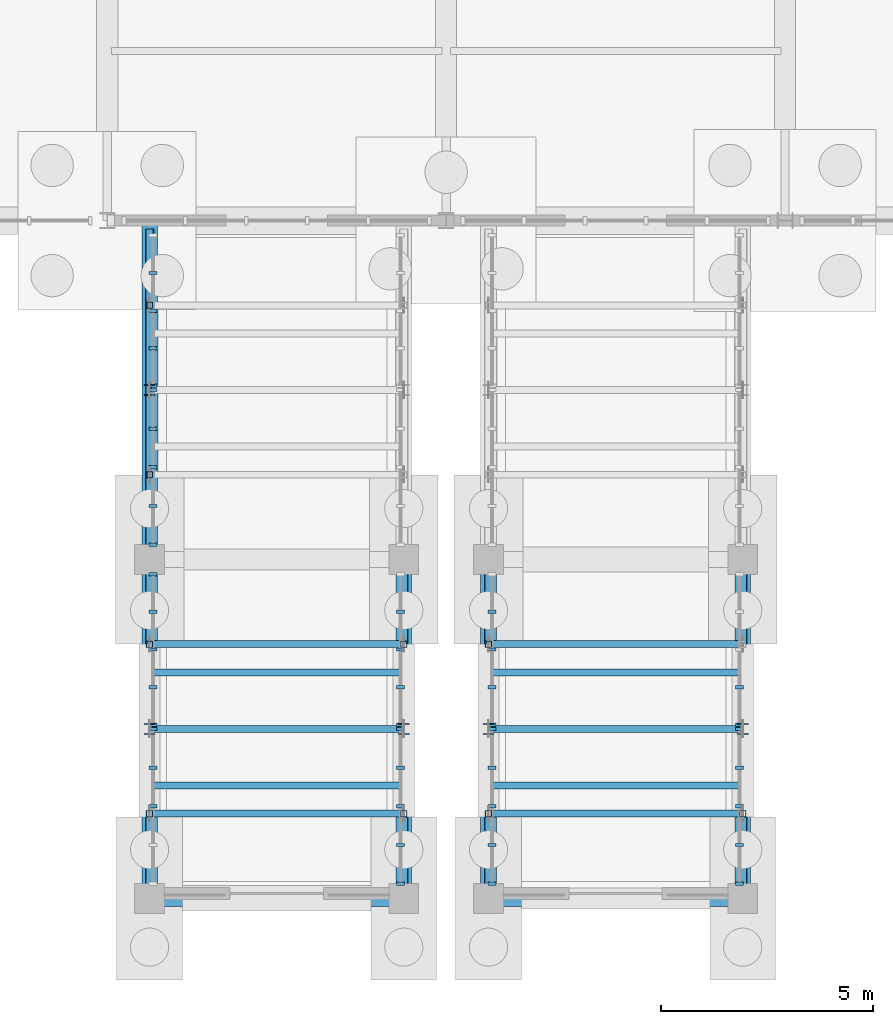
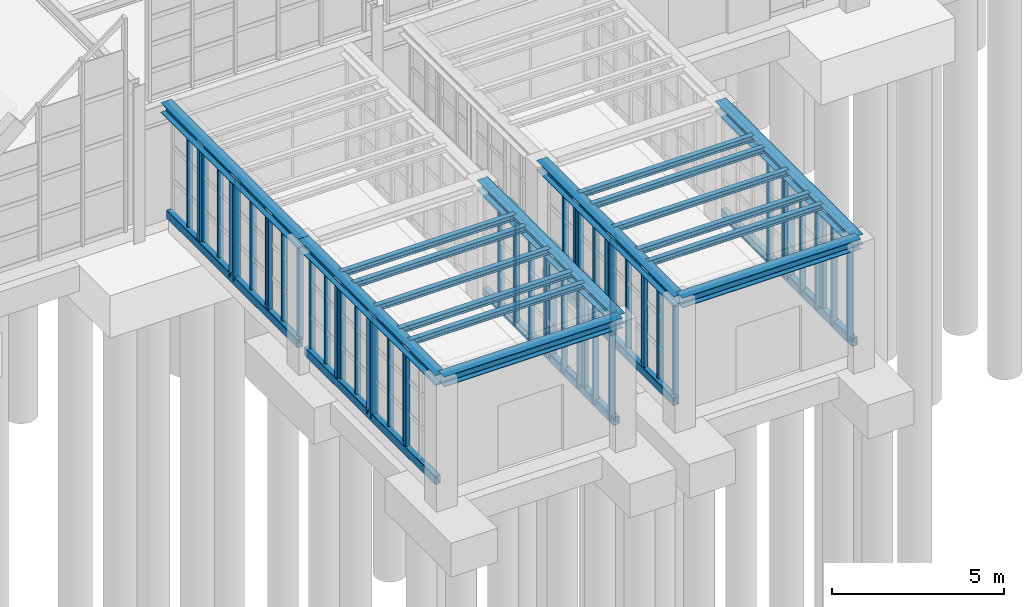
# One storey, part 37 of 129: 67 members, 11 beams, 10 elements without a shape of their own.
"""IFC4 building model written with IfcOpenShell, lengths in metres."""

from ifc_helpers import new_model, si_unit, direction, frame, origin, origin_2d, place, context, subcontext, project, spatial, rectangle, hollow_rectangle, i_section, extrude, material, layer, layer_set, material_profile, profile_set, type_object, element, aggregate, save


model = new_model("IFC4")

# Units and contexts
model_context = context("Model", 3, precision=1e-05, world=origin(), true_north=direction((0.0, 1.0)))
body_context = subcontext(model_context, "Body", "Model", "MODEL_VIEW")
ifc_project = project(units=[si_unit("LENGTHUNIT", "METRE"), si_unit("AREAUNIT", "SQUARE_METRE"), si_unit("VOLUMEUNIT", "CUBIC_METRE"), si_unit("PLANEANGLEUNIT", "RADIAN"), si_unit("MASSUNIT", "GRAM", prefix="KILO")], contexts=[model_context])

# Site, building, storey
site_placement = place(None, origin())
site = spatial("IfcSite", under=ifc_project, at=site_placement, CompositionType="ELEMENT")
building_placement = place(site_placement, origin())
building = spatial("IfcBuilding", under=site, at=building_placement, Name="Sitalva Quay Ferry Terminal", CompositionType="ELEMENT")
storey_placement = place(building_placement, origin())
storey = spatial("IfcBuildingStorey", under=building, at=storey_placement, Name="L01", CompositionType="ELEMENT", Elevation=0.0)

# Beams
ifc_material_1 = material(Name="Structural Steel S355JR", Category="steel")
ifc_material_profile_1 = material_profile(ifc_material_1, i_section(OverallWidth=0.368896484375, OverallDepth=0.35595703125, WebThickness=0.01123046875, FlangeThickness=0.01806640625, FilletRadius=0.014892578125, at=origin_2d()), Name="W360x134")
ifc_profile_set_1 = profile_set([ifc_material_profile_1], Name="Structural Steel S355JR")
beam_type_1 = type_object("IfcBeamType", Name="Beam_W360x134", PredefinedType="BEAM", material=ifc_profile_set_1)
beam_1_placement = place(storey_placement, frame((51.0, -10.0, 3.951904296875), z_axis=(1.0, 0.0, 0.0), x_axis=(0.0, 1.0, 0.0)))
element("IfcBeam", 1, at=beam_1_placement, inside=storey, type_object=beam_type_1, Name="L01 Primary X girder 0015", PredefinedType="BEAM", context=body_context, shape_type="SweptSolid", body=[
    extrude(i_section(OverallWidth=0.368896484375, OverallDepth=0.35595703125, WebThickness=0.01123046875, FlangeThickness=0.01806640625, FilletRadius=0.014892578125, at=origin_2d()), origin(), (0.0, 0.0, 1.0), 6.0),
])
for number, where, z_axis, x_axis, name in (
    (2, (51.0, -10.0, 3.951904296875), (0.0, 1.0, 0.0), (-1.0, 0.0, 0.0), "L01 Primary Y girder 0017"),
    (3, (51.0, -2.0, 3.951904296875), (0.0, 1.0, 0.0), (-1.0, 0.0, 0.0), "L01 Primary Y girder 0018"),
    (4, (57.0, -10.0, 3.951904296875), (0.0, 1.0, 0.0), (-1.0, 0.0, 0.0), "L01 Primary Y girder 0019"),
):
    element("IfcBeam", number, at=place(storey_placement, frame(where, z_axis=z_axis, x_axis=x_axis)), inside=storey, type_object=beam_type_1, Name=name, PredefinedType="BEAM", context=body_context, shape_type="SweptSolid", body=[
        extrude(i_section(OverallWidth=0.368896484375, OverallDepth=0.35595703125, WebThickness=0.01123046875, FlangeThickness=0.01806640625, FilletRadius=0.014892578125, at=origin_2d()), origin(), (0.0, 0.0, 1.0), 8.0),
    ])
beam_2_placement = place(storey_placement, frame((59.0, -10.0, 3.951904296875), z_axis=(1.0, 0.0, 0.0), x_axis=(0.0, 1.0, 0.0)))
element("IfcBeam", 5, at=beam_2_placement, inside=storey, type_object=beam_type_1, Name="L01 Primary X girder 0025", PredefinedType="BEAM", context=body_context, shape_type="SweptSolid", body=[
    extrude(i_section(OverallWidth=0.368896484375, OverallDepth=0.35595703125, WebThickness=0.01123046875, FlangeThickness=0.01806640625, FilletRadius=0.014892578125, at=origin_2d()), origin(), (0.0, 0.0, 1.0), 6.0),
])
for number, where, z_axis, x_axis, name in (
    (6, (59.0, -10.0, 3.951904296875), (0.0, 1.0, 0.0), (-1.0, 0.0, 0.0), "L01 Primary Y girder 0027"),
    (7, (65.0, -10.0, 3.951904296875), (0.0, 1.0, 0.0), (-1.0, 0.0, 0.0), "L01 Primary Y girder 0029"),
):
    element("IfcBeam", number, at=place(storey_placement, frame(where, z_axis=z_axis, x_axis=x_axis)), inside=storey, type_object=beam_type_1, Name=name, PredefinedType="BEAM", context=body_context, shape_type="SweptSolid", body=[
        extrude(i_section(OverallWidth=0.368896484375, OverallDepth=0.35595703125, WebThickness=0.01123046875, FlangeThickness=0.01806640625, FilletRadius=0.014892578125, at=origin_2d()), origin(), (0.0, 0.0, 1.0), 8.0),
    ])

# Members
ifc_material_2 = material(Name="Structural Steel S355JR", Category="steel")
ifc_material_profile_2 = material_profile(ifc_material_2, hollow_rectangle(XDim=0.199951171875, YDim=0.300048828125, WallThickness=0.012451171875, InnerFilletRadius=0.012451171875, OuterFilletRadius=0.02490234375, at=origin_2d()), Name="RHS300x200x12.5")
ifc_profile_set_2 = profile_set([ifc_material_profile_2], Name="Structural Steel S355JR")
member_type_1 = type_object("IfcMemberType", Name="Chord_RHS300x200", PredefinedType="CHORD", material=ifc_profile_set_2)
for number, where, z_axis, x_axis, name in (
    (8, (51.0, -9.800048828125, 0.25), (0.0, 1.0, 0.0), (-1.0, 0.0, 0.0), "Boarding bridge BB2 bottom chord W1"),
    (9, (51.0, -1.800048828125, 0.25), (0.0, 1.0, 0.0), (-1.0, 0.0, 0.0), "Boarding bridge BB2 bottom chord W2"),
    (10, (57.0, -9.800048828125, 0.25), (0.0, 1.0, 0.0), (-1.0, 0.0, 0.0), "Boarding bridge BB2 bottom chord E1"),
    (11, (59.0, -9.800048828125, 0.25), (0.0, 1.0, 0.0), (-1.0, 0.0, 0.0), "Boarding bridge BB3 bottom chord W1"),
    (12, (65.0, -9.800048828125, 0.25), (0.0, 1.0, 0.0), (-1.0, 0.0, 0.0), "Boarding bridge BB3 bottom chord E1"),
):
    element("IfcMember", number, at=place(storey_placement, frame(where, z_axis=z_axis, x_axis=x_axis)), inside=storey, type_object=member_type_1, Name=name, PredefinedType="CHORD", context=body_context, shape_type="SweptSolid", body=[
        extrude(hollow_rectangle(XDim=0.199951171875, YDim=0.300048828125, WallThickness=0.012451171875, InnerFilletRadius=0.012451171875, OuterFilletRadius=0.02490234375, at=origin_2d()), origin(), (0.0, 0.0, 1.0), 7.60009765625),
    ])
ifc_material_3 = material(Name="Structural Steel S355JR", Category="steel")
ifc_material_profile_3 = material_profile(ifc_material_3, i_section(OverallWidth=0.25390625, OverallDepth=0.2529296875, WebThickness=0.008544921875, FlangeThickness=0.01416015625, FilletRadius=0.011962890625, at=origin_2d()), Name="W250x73")
ifc_profile_set_3 = profile_set([ifc_material_profile_3], Name="Structural Steel S355JR")
member_type_2 = type_object("IfcMemberType", Name="Chord_W250x73", PredefinedType="CHORD", material=ifc_profile_set_3)
for number, where, z_axis, x_axis, name in (
    (13, (51.0, -6.0, 0.25), (0.0, 0.0, 1.0), (1.0, 0.0, 0.0), "Boarding bridge BB2 post W1"),
    (14, (51.0, 2.0, 0.25), (0.0, 0.0, 1.0), (1.0, 0.0, 0.0), "Boarding bridge BB2 post W2"),
    (15, (57.0, -6.0, 0.25), (0.0, 0.0, 1.0), (1.0, 0.0, 0.0), "Boarding bridge BB2 post E1"),
    (16, (59.0, -6.0, 0.25), (0.0, 0.0, 1.0), (1.0, 0.0, 0.0), "Boarding bridge BB3 post W1"),
    (17, (65.0, -6.0, 0.25), (0.0, 0.0, 1.0), (1.0, 0.0, 0.0), "Boarding bridge BB3 post E1"),
):
    element("IfcMember", number, at=place(storey_placement, frame(where, z_axis=z_axis, x_axis=x_axis)), inside=storey, type_object=member_type_2, Name=name, PredefinedType="CHORD", context=body_context, shape_type="SweptSolid", body=[
        extrude(i_section(OverallWidth=0.25390625, OverallDepth=0.2529296875, WebThickness=0.008544921875, FlangeThickness=0.01416015625, FilletRadius=0.011962890625, at=origin_2d()), origin(), (0.0, 0.0, 1.0), 3.530029296875),
    ])

# Beams
ifc_material_4 = material(Name="Structural Steel S355JR", Category="steel")
ifc_material_profile_4 = material_profile(ifc_material_4, i_section(OverallWidth=0.1650390625, OverallDepth=0.200927734375, WebThickness=0.006103515625, FlangeThickness=0.01025390625, FilletRadius=0.010009765625, at=origin_2d()), Name="W200x36")
ifc_profile_set_4 = profile_set([ifc_material_profile_4], Name="Structural Steel S355JR")
beam_type_2 = type_object("IfcBeamType", Name="Joist_W200x36", PredefinedType="JOIST", material=ifc_profile_set_4)
for number, where, z_axis, x_axis, name in (
    (18, (51.10009765625, -7.333251953125, 4.029541015625), (1.0, 0.0, 0.0), (0.0, 1.0, 0.0), "L01 Secondary joist 0021"),
    (19, (51.10009765625, -4.666748046875, 4.029541015625), (1.0, 0.0, 0.0), (0.0, 1.0, 0.0), "L01 Secondary joist 0022"),
    (20, (59.10009765625, -7.333251953125, 4.029541015625), (1.0, 0.0, 0.0), (0.0, 1.0, 0.0), "L01 Secondary joist 0031"),
    (21, (59.10009765625, -4.666748046875, 4.029541015625), (1.0, 0.0, 0.0), (0.0, 1.0, 0.0), "L01 Secondary joist 0032"),
):
    element("IfcBeam", number, at=place(storey_placement, frame(where, z_axis=z_axis, x_axis=x_axis)), inside=storey, type_object=beam_type_2, Name=name, PredefinedType="JOIST", context=body_context, shape_type="SweptSolid", body=[
        extrude(i_section(OverallWidth=0.1650390625, OverallDepth=0.200927734375, WebThickness=0.006103515625, FlangeThickness=0.01025390625, FilletRadius=0.010009765625, at=origin_2d()), origin(), (0.0, 0.0, 1.0), 5.7998046875),
    ])

# Curtain wall, members
ifc_material_5 = material(Name="Anodised Aluminium & Low-E Glazing", Category="aluminium")
ifc_layer = layer(ifc_material_5, 0.159912109375)
ifc_layer_set = layer_set([ifc_layer], Name="Anodised Aluminium & Low-E Glazing")
curtain_wall_type = type_object("IfcCurtainWallType", Name="CW_Bridge_Glazed", PredefinedType="USERDEFINED", material=ifc_layer_set)
curtain_wall_1_placement = place(storey_placement, origin())
curtain_wall_1 = element("IfcCurtainWall", 22, at=curtain_wall_1_placement, inside=storey, type_object=curtain_wall_type, Name="Boarding bridge BB2 W1 side glazing (CW-L01-041)", ObjectType="CURTAIN_WALL", PredefinedType="USERDEFINED")
ifc_material_6 = material(Name="Anodised Aluminium 6063-T6", Category="aluminium")
ifc_material_profile_5 = material_profile(ifc_material_6, rectangle(XDim=0.080078125, YDim=0.18505859375, at=origin_2d()), Name="ALU80x185")
ifc_profile_set_5 = profile_set([ifc_material_profile_5], Name="Anodised Aluminium 6063-T6")
member_type_3 = type_object("IfcMemberType", Name="Mullion_Alu_80x185", PredefinedType="MULLION", material=ifc_profile_set_5)
member_1_placement = place(storey_placement, frame((51.080078125, -7.824951171875, 0.25), z_axis=(0.0, 0.0, 1.0), x_axis=(0.0, 1.0, 0.0)))
member_1 = element("IfcMember", 23, at=member_1_placement, type_object=member_type_3, Name="CW-L01-041-M2", PredefinedType="MULLION", context=body_context, shape_type="SweptSolid", body=[
    extrude(rectangle(XDim=0.080078125, YDim=0.18505859375, at=origin_2d()), origin(), (0.0, 0.0, 1.0), 3.530029296875),
])
member_2_placement = place(storey_placement, frame((51.080078125, -6.91259765625, 0.25), z_axis=(0.0, 0.0, 1.0), x_axis=(0.0, 1.0, 0.0)))
member_2 = element("IfcMember", 24, at=member_2_placement, type_object=member_type_3, Name="CW-L01-041-M3", PredefinedType="MULLION", context=body_context, shape_type="SweptSolid", body=[
    extrude(rectangle(XDim=0.080078125, YDim=0.18505859375, at=origin_2d()), origin(), (0.0, 0.0, 1.0), 3.530029296875),
])
member_3_placement = place(storey_placement, frame((51.080078125, -6.0, 0.25), z_axis=(0.0, 0.0, 1.0), x_axis=(0.0, 1.0, 0.0)))
member_3 = element("IfcMember", 25, at=member_3_placement, type_object=member_type_3, Name="CW-L01-041-M4", PredefinedType="MULLION", context=body_context, shape_type="SweptSolid", body=[
    extrude(rectangle(XDim=0.080078125, YDim=0.18505859375, at=origin_2d()), origin(), (0.0, 0.0, 1.0), 3.530029296875),
])
aggregate(curtain_wall_1, [member_1, member_2, member_3])

curtain_wall_2_placement = place(storey_placement, origin())
curtain_wall_2 = element("IfcCurtainWall", 26, at=curtain_wall_2_placement, inside=storey, type_object=curtain_wall_type, Name="Boarding bridge BB2 W2 side glazing (CW-L01-042)", ObjectType="CURTAIN_WALL", PredefinedType="USERDEFINED")
member_4_placement = place(storey_placement, frame((51.080078125, -5.89990234375, 0.25), z_axis=(0.0, 0.0, 1.0), x_axis=(0.0, 1.0, 0.0)))
member_4 = element("IfcMember", 27, at=member_4_placement, type_object=member_type_3, Name="CW-L01-042-M0", PredefinedType="MULLION", context=body_context, shape_type="SweptSolid", body=[
    extrude(rectangle(XDim=0.080078125, YDim=0.18505859375, at=origin_2d()), origin(), (0.0, 0.0, 1.0), 3.530029296875),
])
member_5_placement = place(storey_placement, frame((51.080078125, -5.012451171875, 0.25), z_axis=(0.0, 0.0, 1.0), x_axis=(0.0, 1.0, 0.0)))
member_5 = element("IfcMember", 28, at=member_5_placement, type_object=member_type_3, Name="CW-L01-042-M1", PredefinedType="MULLION", context=body_context, shape_type="SweptSolid", body=[
    extrude(rectangle(XDim=0.080078125, YDim=0.18505859375, at=origin_2d()), origin(), (0.0, 0.0, 1.0), 3.530029296875),
])
member_6_placement = place(storey_placement, frame((51.080078125, -4.125, 0.25), z_axis=(0.0, 0.0, 1.0), x_axis=(0.0, 1.0, 0.0)))
member_6 = element("IfcMember", 29, at=member_6_placement, type_object=member_type_3, Name="CW-L01-042-M2", PredefinedType="MULLION", context=body_context, shape_type="SweptSolid", body=[
    extrude(rectangle(XDim=0.080078125, YDim=0.18505859375, at=origin_2d()), origin(), (0.0, 0.0, 1.0), 3.530029296875),
])
member_7_placement = place(storey_placement, frame((51.080078125, -3.237548828125, 0.25), z_axis=(0.0, 0.0, 1.0), x_axis=(0.0, 1.0, 0.0)))
member_7 = element("IfcMember", 30, at=member_7_placement, type_object=member_type_3, Name="CW-L01-042-M3", PredefinedType="MULLION", context=body_context, shape_type="SweptSolid", body=[
    extrude(rectangle(XDim=0.080078125, YDim=0.18505859375, at=origin_2d()), origin(), (0.0, 0.0, 1.0), 3.530029296875),
])
member_8_placement = place(storey_placement, frame((51.080078125, -2.35009765625, 0.25), z_axis=(0.0, 0.0, 1.0), x_axis=(0.0, 1.0, 0.0)))
member_8 = element("IfcMember", 31, at=member_8_placement, type_object=member_type_3, Name="CW-L01-042-M4", PredefinedType="MULLION", context=body_context, shape_type="SweptSolid", body=[
    extrude(rectangle(XDim=0.080078125, YDim=0.18505859375, at=origin_2d()), origin(), (0.0, 0.0, 1.0), 3.530029296875),
])
aggregate(curtain_wall_2, [member_4, member_5, member_6, member_7, member_8])

curtain_wall_3_placement = place(storey_placement, origin())
curtain_wall_3 = element("IfcCurtainWall", 32, at=curtain_wall_3_placement, inside=storey, type_object=curtain_wall_type, Name="Boarding bridge BB2 W3 side glazing (CW-L01-043)", ObjectType="CURTAIN_WALL", PredefinedType="USERDEFINED")
member_9_placement = place(storey_placement, frame((51.080078125, -1.64990234375, 0.25), z_axis=(0.0, 0.0, 1.0), x_axis=(0.0, 1.0, 0.0)))
member_9 = element("IfcMember", 33, at=member_9_placement, type_object=member_type_3, Name="CW-L01-043-M0", PredefinedType="MULLION", context=body_context, shape_type="SweptSolid", body=[
    extrude(rectangle(XDim=0.080078125, YDim=0.18505859375, at=origin_2d()), origin(), (0.0, 0.0, 1.0), 3.530029296875),
])
member_10_placement = place(storey_placement, frame((51.080078125, -0.737548828125, 0.25), z_axis=(0.0, 0.0, 1.0), x_axis=(0.0, 1.0, 0.0)))
member_10 = element("IfcMember", 34, at=member_10_placement, type_object=member_type_3, Name="CW-L01-043-M1", PredefinedType="MULLION", context=body_context, shape_type="SweptSolid", body=[
    extrude(rectangle(XDim=0.080078125, YDim=0.18505859375, at=origin_2d()), origin(), (0.0, 0.0, 1.0), 3.530029296875),
])
member_11_placement = place(storey_placement, frame((51.080078125, 0.175048828125, 0.25), z_axis=(0.0, 0.0, 1.0), x_axis=(0.0, 1.0, 0.0)))
member_11 = element("IfcMember", 35, at=member_11_placement, type_object=member_type_3, Name="CW-L01-043-M2", PredefinedType="MULLION", context=body_context, shape_type="SweptSolid", body=[
    extrude(rectangle(XDim=0.080078125, YDim=0.18505859375, at=origin_2d()), origin(), (0.0, 0.0, 1.0), 3.530029296875),
])
member_12_placement = place(storey_placement, frame((51.080078125, 1.08740234375, 0.25), z_axis=(0.0, 0.0, 1.0), x_axis=(0.0, 1.0, 0.0)))
member_12 = element("IfcMember", 36, at=member_12_placement, type_object=member_type_3, Name="CW-L01-043-M3", PredefinedType="MULLION", context=body_context, shape_type="SweptSolid", body=[
    extrude(rectangle(XDim=0.080078125, YDim=0.18505859375, at=origin_2d()), origin(), (0.0, 0.0, 1.0), 3.530029296875),
])
member_13_placement = place(storey_placement, frame((51.080078125, 2.0, 0.25), z_axis=(0.0, 0.0, 1.0), x_axis=(0.0, 1.0, 0.0)))
member_13 = element("IfcMember", 37, at=member_13_placement, type_object=member_type_3, Name="CW-L01-043-M4", PredefinedType="MULLION", context=body_context, shape_type="SweptSolid", body=[
    extrude(rectangle(XDim=0.080078125, YDim=0.18505859375, at=origin_2d()), origin(), (0.0, 0.0, 1.0), 3.530029296875),
])
aggregate(curtain_wall_3, [member_9, member_10, member_11, member_12, member_13])

curtain_wall_4_placement = place(storey_placement, origin())
curtain_wall_4 = element("IfcCurtainWall", 38, at=curtain_wall_4_placement, inside=storey, type_object=curtain_wall_type, Name="Boarding bridge BB2 W4 side glazing (CW-L01-044)", ObjectType="CURTAIN_WALL", PredefinedType="USERDEFINED")
member_14_placement = place(storey_placement, frame((51.080078125, 2.10009765625, 0.25), z_axis=(0.0, 0.0, 1.0), x_axis=(0.0, 1.0, 0.0)))
member_14 = element("IfcMember", 39, at=member_14_placement, type_object=member_type_3, Name="CW-L01-044-M0", PredefinedType="MULLION", context=body_context, shape_type="SweptSolid", body=[
    extrude(rectangle(XDim=0.080078125, YDim=0.18505859375, at=origin_2d()), origin(), (0.0, 0.0, 1.0), 3.530029296875),
])
member_15_placement = place(storey_placement, frame((51.080078125, 2.987548828125, 0.25), z_axis=(0.0, 0.0, 1.0), x_axis=(0.0, 1.0, 0.0)))
member_15 = element("IfcMember", 40, at=member_15_placement, type_object=member_type_3, Name="CW-L01-044-M1", PredefinedType="MULLION", context=body_context, shape_type="SweptSolid", body=[
    extrude(rectangle(XDim=0.080078125, YDim=0.18505859375, at=origin_2d()), origin(), (0.0, 0.0, 1.0), 3.530029296875),
])
member_16_placement = place(storey_placement, frame((51.080078125, 3.875, 0.25), z_axis=(0.0, 0.0, 1.0), x_axis=(0.0, 1.0, 0.0)))
member_16 = element("IfcMember", 41, at=member_16_placement, type_object=member_type_3, Name="CW-L01-044-M2", PredefinedType="MULLION", context=body_context, shape_type="SweptSolid", body=[
    extrude(rectangle(XDim=0.080078125, YDim=0.18505859375, at=origin_2d()), origin(), (0.0, 0.0, 1.0), 3.530029296875),
])
member_17_placement = place(storey_placement, frame((51.080078125, 4.762451171875, 0.25), z_axis=(0.0, 0.0, 1.0), x_axis=(0.0, 1.0, 0.0)))
member_17 = element("IfcMember", 42, at=member_17_placement, type_object=member_type_3, Name="CW-L01-044-M3", PredefinedType="MULLION", context=body_context, shape_type="SweptSolid", body=[
    extrude(rectangle(XDim=0.080078125, YDim=0.18505859375, at=origin_2d()), origin(), (0.0, 0.0, 1.0), 3.530029296875),
])
aggregate(curtain_wall_4, [member_14, member_15, member_16, member_17])

curtain_wall_5_placement = place(storey_placement, origin())
curtain_wall_5 = element("IfcCurtainWall", 43, at=curtain_wall_5_placement, inside=storey, type_object=curtain_wall_type, Name="Boarding bridge BB2 E1 side glazing (CW-L01-045)", ObjectType="CURTAIN_WALL", PredefinedType="USERDEFINED")
member_18_placement = place(storey_placement, frame((56.919921875, -9.64990234375, 0.25), z_axis=(0.0, 0.0, 1.0), x_axis=(0.0, 1.0, 0.0)))
member_18 = element("IfcMember", 44, at=member_18_placement, type_object=member_type_3, Name="CW-L01-045-M0", PredefinedType="MULLION", context=body_context, shape_type="SweptSolid", body=[
    extrude(rectangle(XDim=0.080078125, YDim=0.18505859375, at=origin_2d()), origin(), (0.0, 0.0, 1.0), 3.530029296875),
])
member_19_placement = place(storey_placement, frame((56.919921875, -8.737548828125, 0.25), z_axis=(0.0, 0.0, 1.0), x_axis=(0.0, 1.0, 0.0)))
member_19 = element("IfcMember", 45, at=member_19_placement, type_object=member_type_3, Name="CW-L01-045-M1", PredefinedType="MULLION", context=body_context, shape_type="SweptSolid", body=[
    extrude(rectangle(XDim=0.080078125, YDim=0.18505859375, at=origin_2d()), origin(), (0.0, 0.0, 1.0), 3.530029296875),
])
member_20_placement = place(storey_placement, frame((56.919921875, -7.824951171875, 0.25), z_axis=(0.0, 0.0, 1.0), x_axis=(0.0, 1.0, 0.0)))
member_20 = element("IfcMember", 46, at=member_20_placement, type_object=member_type_3, Name="CW-L01-045-M2", PredefinedType="MULLION", context=body_context, shape_type="SweptSolid", body=[
    extrude(rectangle(XDim=0.080078125, YDim=0.18505859375, at=origin_2d()), origin(), (0.0, 0.0, 1.0), 3.530029296875),
])
member_21_placement = place(storey_placement, frame((56.919921875, -6.91259765625, 0.25), z_axis=(0.0, 0.0, 1.0), x_axis=(0.0, 1.0, 0.0)))
member_21 = element("IfcMember", 47, at=member_21_placement, type_object=member_type_3, Name="CW-L01-045-M3", PredefinedType="MULLION", context=body_context, shape_type="SweptSolid", body=[
    extrude(rectangle(XDim=0.080078125, YDim=0.18505859375, at=origin_2d()), origin(), (0.0, 0.0, 1.0), 3.530029296875),
])
member_22_placement = place(storey_placement, frame((56.919921875, -6.0, 0.25), z_axis=(0.0, 0.0, 1.0), x_axis=(0.0, 1.0, 0.0)))
member_22 = element("IfcMember", 48, at=member_22_placement, type_object=member_type_3, Name="CW-L01-045-M4", PredefinedType="MULLION", context=body_context, shape_type="SweptSolid", body=[
    extrude(rectangle(XDim=0.080078125, YDim=0.18505859375, at=origin_2d()), origin(), (0.0, 0.0, 1.0), 3.530029296875),
])
aggregate(curtain_wall_5, [member_18, member_19, member_20, member_21, member_22])

curtain_wall_6_placement = place(storey_placement, origin())
curtain_wall_6 = element("IfcCurtainWall", 49, at=curtain_wall_6_placement, inside=storey, type_object=curtain_wall_type, Name="Boarding bridge BB2 E2 side glazing (CW-L01-046)", ObjectType="CURTAIN_WALL", PredefinedType="USERDEFINED")
member_23_placement = place(storey_placement, frame((56.919921875, -5.89990234375, 0.25), z_axis=(0.0, 0.0, 1.0), x_axis=(0.0, 1.0, 0.0)))
member_23 = element("IfcMember", 50, at=member_23_placement, type_object=member_type_3, Name="CW-L01-046-M0", PredefinedType="MULLION", context=body_context, shape_type="SweptSolid", body=[
    extrude(rectangle(XDim=0.080078125, YDim=0.18505859375, at=origin_2d()), origin(), (0.0, 0.0, 1.0), 3.530029296875),
])
member_24_placement = place(storey_placement, frame((56.919921875, -5.012451171875, 0.25), z_axis=(0.0, 0.0, 1.0), x_axis=(0.0, 1.0, 0.0)))
member_24 = element("IfcMember", 51, at=member_24_placement, type_object=member_type_3, Name="CW-L01-046-M1", PredefinedType="MULLION", context=body_context, shape_type="SweptSolid", body=[
    extrude(rectangle(XDim=0.080078125, YDim=0.18505859375, at=origin_2d()), origin(), (0.0, 0.0, 1.0), 3.530029296875),
])
member_25_placement = place(storey_placement, frame((56.919921875, -4.125, 0.25), z_axis=(0.0, 0.0, 1.0), x_axis=(0.0, 1.0, 0.0)))
member_25 = element("IfcMember", 52, at=member_25_placement, type_object=member_type_3, Name="CW-L01-046-M2", PredefinedType="MULLION", context=body_context, shape_type="SweptSolid", body=[
    extrude(rectangle(XDim=0.080078125, YDim=0.18505859375, at=origin_2d()), origin(), (0.0, 0.0, 1.0), 3.530029296875),
])
member_26_placement = place(storey_placement, frame((56.919921875, -3.237548828125, 0.25), z_axis=(0.0, 0.0, 1.0), x_axis=(0.0, 1.0, 0.0)))
member_26 = element("IfcMember", 53, at=member_26_placement, type_object=member_type_3, Name="CW-L01-046-M3", PredefinedType="MULLION", context=body_context, shape_type="SweptSolid", body=[
    extrude(rectangle(XDim=0.080078125, YDim=0.18505859375, at=origin_2d()), origin(), (0.0, 0.0, 1.0), 3.530029296875),
])
aggregate(curtain_wall_6, [member_23, member_24, member_25, member_26])

curtain_wall_7_placement = place(storey_placement, origin())
curtain_wall_7 = element("IfcCurtainWall", 54, at=curtain_wall_7_placement, inside=storey, type_object=curtain_wall_type, Name="Boarding bridge BB3 W1 side glazing (CW-L01-049)", ObjectType="CURTAIN_WALL", PredefinedType="USERDEFINED")
member_27_placement = place(storey_placement, frame((59.080078125, -9.64990234375, 0.25), z_axis=(0.0, 0.0, 1.0), x_axis=(0.0, 1.0, 0.0)))
member_27 = element("IfcMember", 55, at=member_27_placement, type_object=member_type_3, Name="CW-L01-049-M0", PredefinedType="MULLION", context=body_context, shape_type="SweptSolid", body=[
    extrude(rectangle(XDim=0.080078125, YDim=0.18505859375, at=origin_2d()), origin(), (0.0, 0.0, 1.0), 3.530029296875),
])
member_28_placement = place(storey_placement, frame((59.080078125, -8.737548828125, 0.25), z_axis=(0.0, 0.0, 1.0), x_axis=(0.0, 1.0, 0.0)))
member_28 = element("IfcMember", 56, at=member_28_placement, type_object=member_type_3, Name="CW-L01-049-M1", PredefinedType="MULLION", context=body_context, shape_type="SweptSolid", body=[
    extrude(rectangle(XDim=0.080078125, YDim=0.18505859375, at=origin_2d()), origin(), (0.0, 0.0, 1.0), 3.530029296875),
])
member_29_placement = place(storey_placement, frame((59.080078125, -7.824951171875, 0.25), z_axis=(0.0, 0.0, 1.0), x_axis=(0.0, 1.0, 0.0)))
member_29 = element("IfcMember", 57, at=member_29_placement, type_object=member_type_3, Name="CW-L01-049-M2", PredefinedType="MULLION", context=body_context, shape_type="SweptSolid", body=[
    extrude(rectangle(XDim=0.080078125, YDim=0.18505859375, at=origin_2d()), origin(), (0.0, 0.0, 1.0), 3.530029296875),
])
member_30_placement = place(storey_placement, frame((59.080078125, -6.91259765625, 0.25), z_axis=(0.0, 0.0, 1.0), x_axis=(0.0, 1.0, 0.0)))
member_30 = element("IfcMember", 58, at=member_30_placement, type_object=member_type_3, Name="CW-L01-049-M3", PredefinedType="MULLION", context=body_context, shape_type="SweptSolid", body=[
    extrude(rectangle(XDim=0.080078125, YDim=0.18505859375, at=origin_2d()), origin(), (0.0, 0.0, 1.0), 3.530029296875),
])
member_31_placement = place(storey_placement, frame((59.080078125, -6.0, 0.25), z_axis=(0.0, 0.0, 1.0), x_axis=(0.0, 1.0, 0.0)))
member_31 = element("IfcMember", 59, at=member_31_placement, type_object=member_type_3, Name="CW-L01-049-M4", PredefinedType="MULLION", context=body_context, shape_type="SweptSolid", body=[
    extrude(rectangle(XDim=0.080078125, YDim=0.18505859375, at=origin_2d()), origin(), (0.0, 0.0, 1.0), 3.530029296875),
])
aggregate(curtain_wall_7, [member_27, member_28, member_29, member_30, member_31])

curtain_wall_8_placement = place(storey_placement, origin())
curtain_wall_8 = element("IfcCurtainWall", 60, at=curtain_wall_8_placement, inside=storey, type_object=curtain_wall_type, Name="Boarding bridge BB3 W2 side glazing (CW-L01-050)", ObjectType="CURTAIN_WALL", PredefinedType="USERDEFINED")
member_32_placement = place(storey_placement, frame((59.080078125, -5.89990234375, 0.25), z_axis=(0.0, 0.0, 1.0), x_axis=(0.0, 1.0, 0.0)))
member_32 = element("IfcMember", 61, at=member_32_placement, type_object=member_type_3, Name="CW-L01-050-M0", PredefinedType="MULLION", context=body_context, shape_type="SweptSolid", body=[
    extrude(rectangle(XDim=0.080078125, YDim=0.18505859375, at=origin_2d()), origin(), (0.0, 0.0, 1.0), 3.530029296875),
])
member_33_placement = place(storey_placement, frame((59.080078125, -5.012451171875, 0.25), z_axis=(0.0, 0.0, 1.0), x_axis=(0.0, 1.0, 0.0)))
member_33 = element("IfcMember", 62, at=member_33_placement, type_object=member_type_3, Name="CW-L01-050-M1", PredefinedType="MULLION", context=body_context, shape_type="SweptSolid", body=[
    extrude(rectangle(XDim=0.080078125, YDim=0.18505859375, at=origin_2d()), origin(), (0.0, 0.0, 1.0), 3.530029296875),
])
member_34_placement = place(storey_placement, frame((59.080078125, -4.125, 0.25), z_axis=(0.0, 0.0, 1.0), x_axis=(0.0, 1.0, 0.0)))
member_34 = element("IfcMember", 63, at=member_34_placement, type_object=member_type_3, Name="CW-L01-050-M2", PredefinedType="MULLION", context=body_context, shape_type="SweptSolid", body=[
    extrude(rectangle(XDim=0.080078125, YDim=0.18505859375, at=origin_2d()), origin(), (0.0, 0.0, 1.0), 3.530029296875),
])
member_35_placement = place(storey_placement, frame((59.080078125, -3.237548828125, 0.25), z_axis=(0.0, 0.0, 1.0), x_axis=(0.0, 1.0, 0.0)))
member_35 = element("IfcMember", 64, at=member_35_placement, type_object=member_type_3, Name="CW-L01-050-M3", PredefinedType="MULLION", context=body_context, shape_type="SweptSolid", body=[
    extrude(rectangle(XDim=0.080078125, YDim=0.18505859375, at=origin_2d()), origin(), (0.0, 0.0, 1.0), 3.530029296875),
])
aggregate(curtain_wall_8, [member_32, member_33, member_34, member_35])

curtain_wall_9_placement = place(storey_placement, origin())
curtain_wall_9 = element("IfcCurtainWall", 65, at=curtain_wall_9_placement, inside=storey, type_object=curtain_wall_type, Name="Boarding bridge BB3 E1 side glazing (CW-L01-053)", ObjectType="CURTAIN_WALL", PredefinedType="USERDEFINED")
member_36_placement = place(storey_placement, frame((64.919921875, -9.64990234375, 0.25), z_axis=(0.0, 0.0, 1.0), x_axis=(0.0, 1.0, 0.0)))
member_36 = element("IfcMember", 66, at=member_36_placement, type_object=member_type_3, Name="CW-L01-053-M0", PredefinedType="MULLION", context=body_context, shape_type="SweptSolid", body=[
    extrude(rectangle(XDim=0.080078125, YDim=0.18505859375, at=origin_2d()), origin(), (0.0, 0.0, 1.0), 3.530029296875),
])
member_37_placement = place(storey_placement, frame((64.919921875, -8.737548828125, 0.25), z_axis=(0.0, 0.0, 1.0), x_axis=(0.0, 1.0, 0.0)))
member_37 = element("IfcMember", 67, at=member_37_placement, type_object=member_type_3, Name="CW-L01-053-M1", PredefinedType="MULLION", context=body_context, shape_type="SweptSolid", body=[
    extrude(rectangle(XDim=0.080078125, YDim=0.18505859375, at=origin_2d()), origin(), (0.0, 0.0, 1.0), 3.530029296875),
])
member_38_placement = place(storey_placement, frame((64.919921875, -7.824951171875, 0.25), z_axis=(0.0, 0.0, 1.0), x_axis=(0.0, 1.0, 0.0)))
member_38 = element("IfcMember", 68, at=member_38_placement, type_object=member_type_3, Name="CW-L01-053-M2", PredefinedType="MULLION", context=body_context, shape_type="SweptSolid", body=[
    extrude(rectangle(XDim=0.080078125, YDim=0.18505859375, at=origin_2d()), origin(), (0.0, 0.0, 1.0), 3.530029296875),
])
member_39_placement = place(storey_placement, frame((64.919921875, -6.91259765625, 0.25), z_axis=(0.0, 0.0, 1.0), x_axis=(0.0, 1.0, 0.0)))
member_39 = element("IfcMember", 69, at=member_39_placement, type_object=member_type_3, Name="CW-L01-053-M3", PredefinedType="MULLION", context=body_context, shape_type="SweptSolid", body=[
    extrude(rectangle(XDim=0.080078125, YDim=0.18505859375, at=origin_2d()), origin(), (0.0, 0.0, 1.0), 3.530029296875),
])
member_40_placement = place(storey_placement, frame((64.919921875, -6.0, 0.25), z_axis=(0.0, 0.0, 1.0), x_axis=(0.0, 1.0, 0.0)))
member_40 = element("IfcMember", 70, at=member_40_placement, type_object=member_type_3, Name="CW-L01-053-M4", PredefinedType="MULLION", context=body_context, shape_type="SweptSolid", body=[
    extrude(rectangle(XDim=0.080078125, YDim=0.18505859375, at=origin_2d()), origin(), (0.0, 0.0, 1.0), 3.530029296875),
])
aggregate(curtain_wall_9, [member_36, member_37, member_38, member_39, member_40])

curtain_wall_10_placement = place(storey_placement, origin())
curtain_wall_10 = element("IfcCurtainWall", 71, at=curtain_wall_10_placement, inside=storey, type_object=curtain_wall_type, Name="Boarding bridge BB3 E2 side glazing (CW-L01-054)", ObjectType="CURTAIN_WALL", PredefinedType="USERDEFINED")
member_41_placement = place(storey_placement, frame((64.919921875, -5.89990234375, 0.25), z_axis=(0.0, 0.0, 1.0), x_axis=(0.0, 1.0, 0.0)))
member_41 = element("IfcMember", 72, at=member_41_placement, type_object=member_type_3, Name="CW-L01-054-M0", PredefinedType="MULLION", context=body_context, shape_type="SweptSolid", body=[
    extrude(rectangle(XDim=0.080078125, YDim=0.18505859375, at=origin_2d()), origin(), (0.0, 0.0, 1.0), 3.530029296875),
])
member_42_placement = place(storey_placement, frame((64.919921875, -5.012451171875, 0.25), z_axis=(0.0, 0.0, 1.0), x_axis=(0.0, 1.0, 0.0)))
member_42 = element("IfcMember", 73, at=member_42_placement, type_object=member_type_3, Name="CW-L01-054-M1", PredefinedType="MULLION", context=body_context, shape_type="SweptSolid", body=[
    extrude(rectangle(XDim=0.080078125, YDim=0.18505859375, at=origin_2d()), origin(), (0.0, 0.0, 1.0), 3.530029296875),
])
aggregate(curtain_wall_10, [member_41, member_42])

# Members
ifc_material_7 = material(Name="Structural Steel S355JR", Category="steel")
ifc_material_profile_6 = material_profile(ifc_material_7, i_section(OverallWidth=0.1650390625, OverallDepth=0.200927734375, WebThickness=0.006103515625, FlangeThickness=0.01025390625, FilletRadius=0.010009765625, at=origin_2d()), Name="W200x36")
ifc_profile_set_6 = profile_set([ifc_material_profile_6], Name="Structural Steel S355JR")
member_type_4 = type_object("IfcMemberType", Name="Purlin_W200x36", PredefinedType="PURLIN", material=ifc_profile_set_6)
for number, where, z_axis, x_axis, name in (
    (74, (51.06005859375, -8.0, 4.029541015625), (1.0, 0.0, 0.0), (0.0, 1.0, 0.0), "Bridge BB2 parasol purlin at Y=-8.0"),
    (75, (51.06005859375, -6.0, 4.029541015625), (1.0, 0.0, 0.0), (0.0, 1.0, 0.0), "Bridge BB2 parasol purlin at Y=-6.0"),
    (76, (51.06005859375, -4.0, 4.029541015625), (1.0, 0.0, 0.0), (0.0, 1.0, 0.0), "Bridge BB2 parasol purlin at Y=-4.0"),
    (77, (59.06005859375, -8.0, 4.029541015625), (1.0, 0.0, 0.0), (0.0, 1.0, 0.0), "Bridge BB3 parasol purlin at Y=-8.0"),
    (78, (59.06005859375, -6.0, 4.029541015625), (1.0, 0.0, 0.0), (0.0, 1.0, 0.0), "Bridge BB3 parasol purlin at Y=-6.0"),
    (79, (59.06005859375, -4.0, 4.029541015625), (1.0, 0.0, 0.0), (0.0, 1.0, 0.0), "Bridge BB3 parasol purlin at Y=-4.0"),
):
    element("IfcMember", number, at=place(storey_placement, frame(where, z_axis=z_axis, x_axis=x_axis)), inside=storey, type_object=member_type_4, Name=name, PredefinedType="PURLIN", context=body_context, shape_type="SweptSolid", body=[
        extrude(i_section(OverallWidth=0.1650390625, OverallDepth=0.200927734375, WebThickness=0.006103515625, FlangeThickness=0.01025390625, FilletRadius=0.010009765625, at=origin_2d()), origin(), (0.0, 0.0, 1.0), 5.8798828125),
    ])
ifc_material_8 = material(Name="Structural Steel S355JR", Category="steel")
ifc_material_profile_7 = material_profile(ifc_material_8, hollow_rectangle(XDim=0.14990234375, YDim=0.14990234375, WallThickness=0.008056640625, InnerFilletRadius=0.008056640625, OuterFilletRadius=0.01611328125, at=origin_2d()), Name="SHS150x150x8")
ifc_profile_set_7 = profile_set([ifc_material_profile_7], Name="Structural Steel S355JR")
member_type_5 = type_object("IfcMemberType", Name="Strut_SHS150x8", PredefinedType="STRUT", material=ifc_profile_set_7)
for number, where, z_axis, x_axis, name in (
    (80, (51.0, -8.0, 0.25), (0.0, 0.0, 1.0), (1.0, 0.0, 0.0), "Boarding bridge BB2 Vierendeel post W1A"),
    (81, (51.0, -4.0, 0.25), (0.0, 0.0, 1.0), (1.0, 0.0, 0.0), "Boarding bridge BB2 Vierendeel post W1B"),
    (82, (51.0, 0.0, 0.25), (0.0, 0.0, 1.0), (1.0, 0.0, 0.0), "Boarding bridge BB2 Vierendeel post W2A"),
    (83, (51.0, 4.0, 0.25), (0.0, 0.0, 1.0), (1.0, 0.0, 0.0), "Boarding bridge BB2 Vierendeel post W2B"),
    (84, (57.0, -8.0, 0.25), (0.0, 0.0, 1.0), (1.0, 0.0, 0.0), "Boarding bridge BB2 Vierendeel post E1A"),
    (85, (57.0, -4.0, 0.25), (0.0, 0.0, 1.0), (1.0, 0.0, 0.0), "Boarding bridge BB2 Vierendeel post E1B"),
    (86, (59.0, -8.0, 0.25), (0.0, 0.0, 1.0), (1.0, 0.0, 0.0), "Boarding bridge BB3 Vierendeel post W1A"),
    (87, (59.0, -4.0, 0.25), (0.0, 0.0, 1.0), (1.0, 0.0, 0.0), "Boarding bridge BB3 Vierendeel post W1B"),
    (88, (65.0, -8.0, 0.25), (0.0, 0.0, 1.0), (1.0, 0.0, 0.0), "Boarding bridge BB3 Vierendeel post E1A"),
):
    element("IfcMember", number, at=place(storey_placement, frame(where, z_axis=z_axis, x_axis=x_axis)), inside=storey, type_object=member_type_5, Name=name, PredefinedType="STRUT", context=body_context, shape_type="SweptSolid", body=[
        extrude(hollow_rectangle(XDim=0.14990234375, YDim=0.14990234375, WallThickness=0.008056640625, InnerFilletRadius=0.008056640625, OuterFilletRadius=0.01611328125, at=origin_2d()), origin(), (0.0, 0.0, 1.0), 3.530029296875),
    ])

save(model, "model.ifc")
